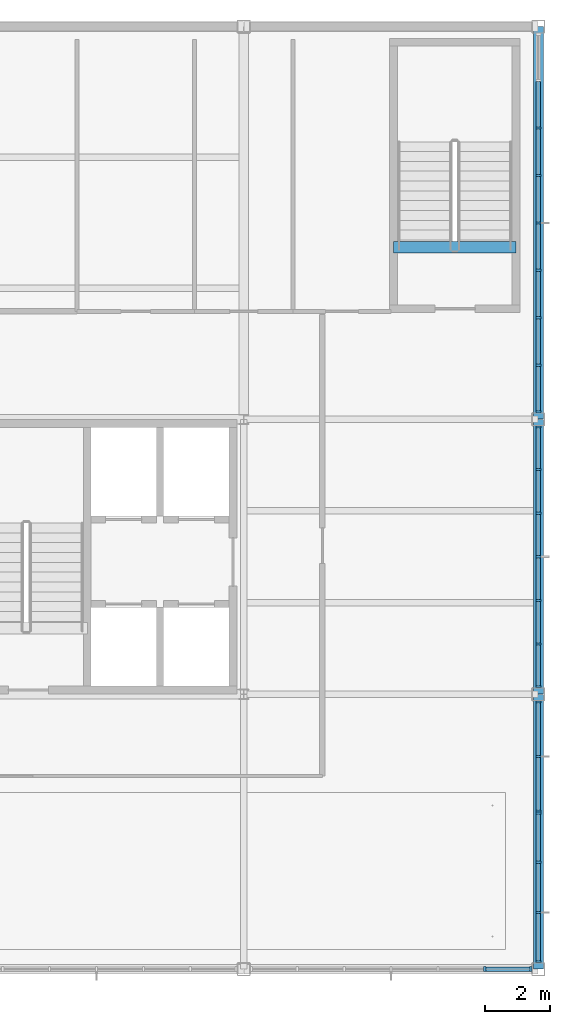
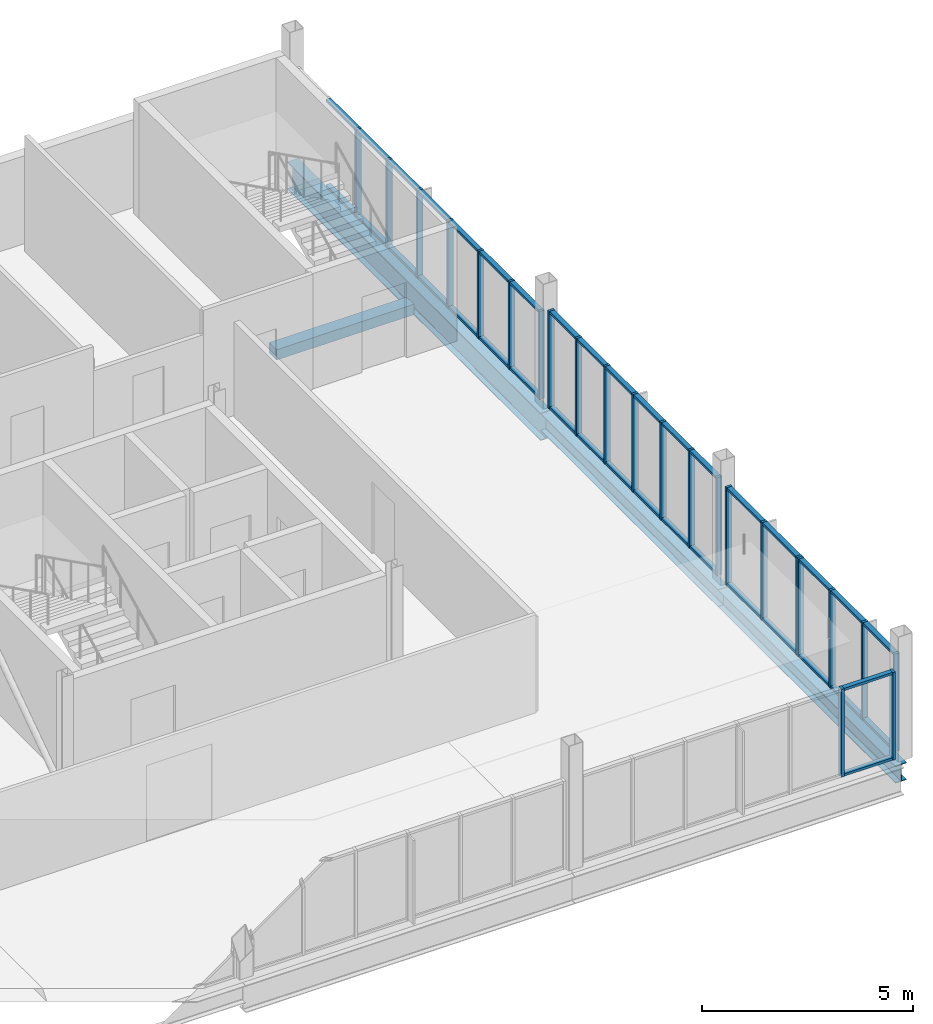
# One storey, part 7 of 17: 61 members, 4 beams, 5 elements without a shape of their own.
"""IFC4 building model written with IfcOpenShell, lengths in metres."""

from ifc_helpers import new_model, si_unit, direction, frame, origin, origin_2d, place, context, subcontext, project, spatial, rectangle, i_section, extrude, material, layer, layer_set, material_profile, profile_set, type_object, element, aggregate, save


model = new_model("IFC4")

# Units and contexts
model_context = context("Model", 3, precision=1e-05, world=origin(), true_north=direction((0.0, 1.0)))
body_context = subcontext(model_context, "Body", "Model", "MODEL_VIEW")
ifc_project = project(units=[si_unit("LENGTHUNIT", "METRE"), si_unit("AREAUNIT", "SQUARE_METRE"), si_unit("VOLUMEUNIT", "CUBIC_METRE"), si_unit("PLANEANGLEUNIT", "RADIAN"), si_unit("MASSUNIT", "GRAM", prefix="KILO")], contexts=[model_context])

# Site, building, storey
site_placement = place(None, origin())
site = spatial("IfcSite", under=ifc_project, at=site_placement, CompositionType="ELEMENT")
building_placement = place(site_placement, origin())
building = spatial("IfcBuilding", under=site, at=building_placement, Name="Yukiwa Park Conservatory and Herbarium", CompositionType="ELEMENT")
storey_placement = place(building_placement, frame((0.0, 0.0, 57.60009765625)))
storey = spatial("IfcBuildingStorey", under=building, at=storey_placement, Name="L15", CompositionType="ELEMENT", Elevation=57.60009765625)

# Beams
ifc_material_1 = material(Name="Steel Q355D", Category="steel")
ifc_material_profile_1 = material_profile(ifc_material_1, i_section(OverallWidth=0.300048828125, OverallDepth=0.5, WebThickness=0.010986328125, FlangeThickness=0.01806640625, FilletRadius=0.02392578125, at=origin_2d()), Name="HM 500x300x11x18")
ifc_profile_set_1 = profile_set([ifc_material_profile_1], Name="Steel Q355D")
beam_type_1 = type_object("IfcBeamType", Name="BM-SPN-HN500", PredefinedType="SPANDREL", material=ifc_profile_set_1)
beam_1_placement = place(storey_placement, frame((168.0, 86.406005859375, -0.506103515625), z_axis=(0.0, 1.0, 0.0), x_axis=(-1.0, 0.0, 0.0)))
element("IfcBeam", 1, at=beam_1_placement, inside=storey, type_object=beam_type_1, Name="L15 spandrel girder Y-27", PredefinedType="SPANDREL", context=body_context, shape_type="SweptSolid", body=[
    extrude(i_section(OverallWidth=0.300048828125, OverallDepth=0.5, WebThickness=0.010986328125, FlangeThickness=0.01806640625, FilletRadius=0.02392578125, at=origin_2d()), origin(), (0.0, 0.0, 1.0), 8.387939453125),
])
beam_2_placement = place(storey_placement, frame((168.0, 94.805908203125, -0.506103515625), z_axis=(0.0, 1.0, 0.0), x_axis=(-1.0, 0.0, 0.0)))
element("IfcBeam", 2, at=beam_2_placement, inside=storey, type_object=beam_type_1, Name="L15 spandrel girder Y-28", PredefinedType="SPANDREL", context=body_context, shape_type="SweptSolid", body=[
    extrude(i_section(OverallWidth=0.300048828125, OverallDepth=0.5, WebThickness=0.010986328125, FlangeThickness=0.01806640625, FilletRadius=0.02392578125, at=origin_2d()), origin(), (0.0, 0.0, 1.0), 8.38818359375),
])
ifc_material_2 = material(Name="Steel Q355D", Category="steel")
ifc_material_profile_2 = material_profile(ifc_material_2, i_section(OverallWidth=0.300048828125, OverallDepth=0.7919921875, WebThickness=0.013916015625, FlangeThickness=0.02197265625, FilletRadius=0.028076171875, at=origin_2d()), Name="HN 792x300x14x22")
ifc_profile_set_2 = profile_set([ifc_material_profile_2], Name="Steel Q355D")
beam_type_2 = type_object("IfcBeamType", Name="BM-SPN-HN600", PredefinedType="SPANDREL", material=ifc_profile_set_2)
beam_3_placement = place(storey_placement, frame((168.0, 103.2060546875, -0.652099609375), z_axis=(0.0, 1.0, 0.0), x_axis=(-1.0, 0.0, 0.0)))
element("IfcBeam", 3, at=beam_3_placement, inside=storey, type_object=beam_type_2, Name="L15 spandrel girder Y-29", PredefinedType="SPANDREL", context=body_context, shape_type="SweptSolid", body=[
    extrude(i_section(OverallWidth=0.300048828125, OverallDepth=0.7919921875, WebThickness=0.013916015625, FlangeThickness=0.02197265625, FilletRadius=0.028076171875, at=origin_2d()), origin(), (0.0, 0.0, 1.0), 11.988037109375),
])
ifc_material_3 = material(Name="Concrete C40", Category="concrete")
ifc_material_profile_3 = material_profile(ifc_material_3, rectangle(XDim=0.35009765625, YDim=0.300048828125, at=origin_2d()), Name="RC 350x300")
ifc_profile_set_3 = profile_set([ifc_material_profile_3], Name="Concrete C40")
beam_type_3 = type_object("IfcBeamType", Name="BM-STAIR-TRIM", PredefinedType="BEAM", material=ifc_profile_set_3)
beam_4_placement = place(storey_placement, frame((163.570068359375, 108.4599609375, -0.150146484375), z_axis=(1.0, 0.0, 0.0), x_axis=(0.0, 1.0, 0.0)))
element("IfcBeam", 4, at=beam_4_placement, inside=storey, type_object=beam_type_3, Name="Stair ST-T3 L15 landing trimmer beam", PredefinedType="BEAM", context=body_context, shape_type="SweptSolid", body=[
    extrude(rectangle(XDim=0.35009765625, YDim=0.300048828125, at=origin_2d()), origin(), (0.0, 0.0, 1.0), 3.75),
])

# Curtain wall, members
ifc_material_4 = material(Name="Triple Low-E Insulated Glass", Category="glass")
ifc_layer = layer(ifc_material_4, 0.2119140625)
ifc_layer_set = layer_set([ifc_layer], Name="Triple Low-E Insulated Glass")
curtain_wall_type = type_object("IfcCurtainWallType", Name="CW-TOWER-SKY-1400", PredefinedType="NOTDEFINED", material=ifc_layer_set)
curtain_wall_1_placement = place(storey_placement, origin())
curtain_wall_1 = element("IfcCurtainWall", 5, at=curtain_wall_1_placement, inside=storey, type_object=curtain_wall_type, Name="L15 unitised curtain wall CW-L15-141", PredefinedType="NOTDEFINED")
ifc_material_5 = material(Name="Anodised Aluminium", Category="aluminium")
member_type_1 = type_object("IfcMemberType", Name="MB-CW-MUL-70X150", PredefinedType="MULLION", material=ifc_material_5)
member_1_placement = place(storey_placement, frame((168.0, 86.635009765625, -0.000244140625), z_axis=(0.0, 0.0, 1.0), x_axis=(0.0, 1.0, 0.0)))
member_1 = element("IfcMember", 6, at=member_1_placement, type_object=member_type_1, Name="CW-L15-141 mullion 1", PredefinedType="MULLION", context=body_context, shape_type="SweptSolid", body=[
    extrude(rectangle(XDim=0.070068359375, YDim=0.14990234375, at=origin_2d()), origin(), (0.0, 0.0, 1.0), 2.830078125),
])
member_2_placement = place(storey_placement, frame((168.0, 88.13330078125, -0.000244140625), z_axis=(0.0, 0.0, 1.0), x_axis=(0.0, 1.0, 0.0)))
member_2 = element("IfcMember", 7, at=member_2_placement, type_object=member_type_1, Name="CW-L15-141 mullion 2", PredefinedType="MULLION", context=body_context, shape_type="SweptSolid", body=[
    extrude(rectangle(XDim=0.070068359375, YDim=0.14990234375, at=origin_2d()), origin(), (0.0, 0.0, 1.0), 2.830078125),
])
member_3_placement = place(storey_placement, frame((168.0, 89.666748046875, -0.000244140625), z_axis=(0.0, 0.0, 1.0), x_axis=(0.0, 1.0, 0.0)))
member_3 = element("IfcMember", 8, at=member_3_placement, type_object=member_type_1, Name="CW-L15-141 mullion 3", PredefinedType="MULLION", context=body_context, shape_type="SweptSolid", body=[
    extrude(rectangle(XDim=0.070068359375, YDim=0.14990234375, at=origin_2d()), origin(), (0.0, 0.0, 1.0), 2.830078125),
])
member_4_placement = place(storey_placement, frame((168.0, 91.1650390625, -0.000244140625), z_axis=(0.0, 0.0, 1.0), x_axis=(0.0, 1.0, 0.0)))
member_4 = element("IfcMember", 9, at=member_4_placement, type_object=member_type_1, Name="CW-L15-141 mullion 4", PredefinedType="MULLION", context=body_context, shape_type="SweptSolid", body=[
    extrude(rectangle(XDim=0.070068359375, YDim=0.14990234375, at=origin_2d()), origin(), (0.0, 0.0, 1.0), 2.830078125),
])

curtain_wall_2_placement = place(storey_placement, origin())
curtain_wall_2 = element("IfcCurtainWall", 10, at=curtain_wall_2_placement, inside=storey, type_object=curtain_wall_type, Name="L15 unitised curtain wall CW-L15-142", PredefinedType="NOTDEFINED")
member_5_placement = place(storey_placement, frame((168.0, 91.235107421875, -0.000244140625), z_axis=(0.0, 0.0, 1.0), x_axis=(0.0, 1.0, 0.0)))
member_5 = element("IfcMember", 11, at=member_5_placement, type_object=member_type_1, Name="CW-L15-142 mullion 1", PredefinedType="MULLION", context=body_context, shape_type="SweptSolid", body=[
    extrude(rectangle(XDim=0.070068359375, YDim=0.14990234375, at=origin_2d()), origin(), (0.0, 0.0, 1.0), 2.830078125),
])
member_6_placement = place(storey_placement, frame((168.0, 92.89990234375, -0.000244140625), z_axis=(0.0, 0.0, 1.0), x_axis=(0.0, 1.0, 0.0)))
member_6 = element("IfcMember", 12, at=member_6_placement, type_object=member_type_1, Name="CW-L15-142 mullion 2", PredefinedType="MULLION", context=body_context, shape_type="SweptSolid", body=[
    extrude(rectangle(XDim=0.070068359375, YDim=0.14990234375, at=origin_2d()), origin(), (0.0, 0.0, 1.0), 2.830078125),
])
member_7_placement = place(storey_placement, frame((168.0, 94.56494140625, -0.000244140625), z_axis=(0.0, 0.0, 1.0), x_axis=(0.0, 1.0, 0.0)))
member_7 = element("IfcMember", 13, at=member_7_placement, type_object=member_type_1, Name="CW-L15-142 mullion 3", PredefinedType="MULLION", context=body_context, shape_type="SweptSolid", body=[
    extrude(rectangle(XDim=0.070068359375, YDim=0.14990234375, at=origin_2d()), origin(), (0.0, 0.0, 1.0), 2.830078125),
])

curtain_wall_3_placement = place(storey_placement, origin())
curtain_wall_3 = element("IfcCurtainWall", 14, at=curtain_wall_3_placement, inside=storey, type_object=curtain_wall_type, Name="L15 unitised curtain wall CW-L15-143", PredefinedType="NOTDEFINED")
member_8_placement = place(storey_placement, frame((168.0, 95.034912109375, -0.000244140625), z_axis=(0.0, 0.0, 1.0), x_axis=(0.0, 1.0, 0.0)))
member_8 = element("IfcMember", 15, at=member_8_placement, type_object=member_type_1, Name="CW-L15-143 mullion 1", PredefinedType="MULLION", context=body_context, shape_type="SweptSolid", body=[
    extrude(rectangle(XDim=0.070068359375, YDim=0.14990234375, at=origin_2d()), origin(), (0.0, 0.0, 1.0), 2.830078125),
])
member_9_placement = place(storey_placement, frame((168.0, 96.333251953125, -0.000244140625), z_axis=(0.0, 0.0, 1.0), x_axis=(0.0, 1.0, 0.0)))
member_9 = element("IfcMember", 16, at=member_9_placement, type_object=member_type_1, Name="CW-L15-143 mullion 2", PredefinedType="MULLION", context=body_context, shape_type="SweptSolid", body=[
    extrude(rectangle(XDim=0.070068359375, YDim=0.14990234375, at=origin_2d()), origin(), (0.0, 0.0, 1.0), 2.830078125),
])
member_10_placement = place(storey_placement, frame((168.0, 97.666748046875, -0.000244140625), z_axis=(0.0, 0.0, 1.0), x_axis=(0.0, 1.0, 0.0)))
member_10 = element("IfcMember", 17, at=member_10_placement, type_object=member_type_1, Name="CW-L15-143 mullion 3", PredefinedType="MULLION", context=body_context, shape_type="SweptSolid", body=[
    extrude(rectangle(XDim=0.070068359375, YDim=0.14990234375, at=origin_2d()), origin(), (0.0, 0.0, 1.0), 2.830078125),
])
member_11_placement = place(storey_placement, frame((168.0, 99.0, -0.000244140625), z_axis=(0.0, 0.0, 1.0), x_axis=(0.0, 1.0, 0.0)))
member_11 = element("IfcMember", 18, at=member_11_placement, type_object=member_type_1, Name="CW-L15-143 mullion 4", PredefinedType="MULLION", context=body_context, shape_type="SweptSolid", body=[
    extrude(rectangle(XDim=0.070068359375, YDim=0.14990234375, at=origin_2d()), origin(), (0.0, 0.0, 1.0), 2.830078125),
])
member_12_placement = place(storey_placement, frame((168.0, 100.333251953125, -0.000244140625), z_axis=(0.0, 0.0, 1.0), x_axis=(0.0, 1.0, 0.0)))
member_12 = element("IfcMember", 19, at=member_12_placement, type_object=member_type_1, Name="CW-L15-143 mullion 5", PredefinedType="MULLION", context=body_context, shape_type="SweptSolid", body=[
    extrude(rectangle(XDim=0.070068359375, YDim=0.14990234375, at=origin_2d()), origin(), (0.0, 0.0, 1.0), 2.830078125),
])
member_13_placement = place(storey_placement, frame((168.0, 101.666748046875, -0.000244140625), z_axis=(0.0, 0.0, 1.0), x_axis=(0.0, 1.0, 0.0)))
member_13 = element("IfcMember", 20, at=member_13_placement, type_object=member_type_1, Name="CW-L15-143 mullion 6", PredefinedType="MULLION", context=body_context, shape_type="SweptSolid", body=[
    extrude(rectangle(XDim=0.070068359375, YDim=0.14990234375, at=origin_2d()), origin(), (0.0, 0.0, 1.0), 2.830078125),
])
member_14_placement = place(storey_placement, frame((168.0, 102.965087890625, -0.000244140625), z_axis=(0.0, 0.0, 1.0), x_axis=(0.0, 1.0, 0.0)))
member_14 = element("IfcMember", 21, at=member_14_placement, type_object=member_type_1, Name="CW-L15-143 mullion 7", PredefinedType="MULLION", context=body_context, shape_type="SweptSolid", body=[
    extrude(rectangle(XDim=0.070068359375, YDim=0.14990234375, at=origin_2d()), origin(), (0.0, 0.0, 1.0), 2.830078125),
])

curtain_wall_4_placement = place(storey_placement, origin())
curtain_wall_4 = element("IfcCurtainWall", 22, at=curtain_wall_4_placement, inside=storey, type_object=curtain_wall_type, Name="L15 unitised curtain wall CW-L15-144", PredefinedType="NOTDEFINED")
member_15_placement = place(storey_placement, frame((168.0, 103.43505859375, -0.000244140625), z_axis=(0.0, 0.0, 1.0), x_axis=(0.0, 1.0, 0.0)))
member_15 = element("IfcMember", 23, at=member_15_placement, type_object=member_type_1, Name="CW-L15-144 mullion 1", PredefinedType="MULLION", context=body_context, shape_type="SweptSolid", body=[
    extrude(rectangle(XDim=0.070068359375, YDim=0.14990234375, at=origin_2d()), origin(), (0.0, 0.0, 1.0), 2.5380859375),
])
member_16_placement = place(storey_placement, frame((168.0, 104.85009765625, -0.000244140625), z_axis=(0.0, 0.0, 1.0), x_axis=(0.0, 1.0, 0.0)))
member_16 = element("IfcMember", 24, at=member_16_placement, type_object=member_type_1, Name="CW-L15-144 mullion 2", PredefinedType="MULLION", context=body_context, shape_type="SweptSolid", body=[
    extrude(rectangle(XDim=0.070068359375, YDim=0.14990234375, at=origin_2d()), origin(), (0.0, 0.0, 1.0), 2.5380859375),
])
member_17_placement = place(storey_placement, frame((168.0, 106.300048828125, -0.000244140625), z_axis=(0.0, 0.0, 1.0), x_axis=(0.0, 1.0, 0.0)))
member_17 = element("IfcMember", 25, at=member_17_placement, type_object=member_type_1, Name="CW-L15-144 mullion 3", PredefinedType="MULLION", context=body_context, shape_type="SweptSolid", body=[
    extrude(rectangle(XDim=0.070068359375, YDim=0.14990234375, at=origin_2d()), origin(), (0.0, 0.0, 1.0), 2.5380859375),
])
member_18_placement = place(storey_placement, frame((168.0, 107.75, -0.000244140625), z_axis=(0.0, 0.0, 1.0), x_axis=(0.0, 1.0, 0.0)))
member_18 = element("IfcMember", 26, at=member_18_placement, type_object=member_type_1, Name="CW-L15-144 mullion 4", PredefinedType="MULLION", context=body_context, shape_type="SweptSolid", body=[
    extrude(rectangle(XDim=0.070068359375, YDim=0.14990234375, at=origin_2d()), origin(), (0.0, 0.0, 1.0), 2.5380859375),
])
member_19_placement = place(storey_placement, frame((168.0, 109.199951171875, -0.000244140625), z_axis=(0.0, 0.0, 1.0), x_axis=(0.0, 1.0, 0.0)))
member_19 = element("IfcMember", 27, at=member_19_placement, type_object=member_type_1, Name="CW-L15-144 mullion 5", PredefinedType="MULLION", context=body_context, shape_type="SweptSolid", body=[
    extrude(rectangle(XDim=0.070068359375, YDim=0.14990234375, at=origin_2d()), origin(), (0.0, 0.0, 1.0), 2.5380859375),
])
member_20_placement = place(storey_placement, frame((168.0, 110.64990234375, -0.000244140625), z_axis=(0.0, 0.0, 1.0), x_axis=(0.0, 1.0, 0.0)))
member_20 = element("IfcMember", 28, at=member_20_placement, type_object=member_type_1, Name="CW-L15-144 mullion 6", PredefinedType="MULLION", context=body_context, shape_type="SweptSolid", body=[
    extrude(rectangle(XDim=0.070068359375, YDim=0.14990234375, at=origin_2d()), origin(), (0.0, 0.0, 1.0), 2.5380859375),
])
member_21_placement = place(storey_placement, frame((168.0, 112.10009765625, -0.000244140625), z_axis=(0.0, 0.0, 1.0), x_axis=(0.0, 1.0, 0.0)))
member_21 = element("IfcMember", 29, at=member_21_placement, type_object=member_type_1, Name="CW-L15-144 mullion 7", PredefinedType="MULLION", context=body_context, shape_type="SweptSolid", body=[
    extrude(rectangle(XDim=0.070068359375, YDim=0.14990234375, at=origin_2d()), origin(), (0.0, 0.0, 1.0), 2.5380859375),
])

curtain_wall_5_placement = place(storey_placement, origin())
curtain_wall_5 = element("IfcCurtainWall", 30, at=curtain_wall_5_placement, inside=storey, type_object=curtain_wall_type, Name="L15 unitised curtain wall CW-L15-147", PredefinedType="NOTDEFINED")
member_22_placement = place(storey_placement, frame((166.36669921875, 86.39990234375, -0.000244140625), z_axis=(0.0, 0.0, 1.0), x_axis=(1.0, 0.0, 0.0)))
member_22 = element("IfcMember", 31, at=member_22_placement, type_object=member_type_1, Name="CW-L15-147 mullion 6", PredefinedType="MULLION", context=body_context, shape_type="SweptSolid", body=[
    extrude(rectangle(XDim=0.070068359375, YDim=0.14990234375, at=origin_2d()), origin(), (0.0, 0.0, 1.0), 2.5380859375),
])
member_23_placement = place(storey_placement, frame((167.764892578125, 86.39990234375, -0.000244140625), z_axis=(0.0, 0.0, 1.0), x_axis=(1.0, 0.0, 0.0)))
member_23 = element("IfcMember", 32, at=member_23_placement, type_object=member_type_1, Name="CW-L15-147 mullion 7", PredefinedType="MULLION", context=body_context, shape_type="SweptSolid", body=[
    extrude(rectangle(XDim=0.070068359375, YDim=0.14990234375, at=origin_2d()), origin(), (0.0, 0.0, 1.0), 2.5380859375),
])

# Member
ifc_material_6 = material(Name="Anodised Aluminium", Category="aluminium")
member_type_2 = type_object("IfcMemberType", Name="MB-CW-TRN-70X130", PredefinedType="USERDEFINED", material=ifc_material_6)
member_24_placement = place(storey_placement, frame((168.0, 87.36669921875, 0.0), z_axis=(0.0, 0.0, 1.0), x_axis=(0.0, 1.0, 0.0)))
member_24 = element("IfcMember", 33, at=member_24_placement, type_object=member_type_2, Name="CW-L15-141 transom 1.1", ObjectType="TRANSOM", PredefinedType="USERDEFINED", context=body_context, shape_type="SweptSolid", body=[
    extrude(rectangle(XDim=1.46337890625, YDim=0.1298828125, at=origin_2d()), origin(), (0.0, 0.0, 1.0), 0.070068359375),
])

member_25_placement = place(storey_placement, frame((168.0, 87.36669921875, 2.759765625), z_axis=(0.0, 0.0, 1.0), x_axis=(0.0, 1.0, 0.0)))
member_25 = element("IfcMember", 34, at=member_25_placement, type_object=member_type_2, Name="CW-L15-141 transom 1.2", ObjectType="TRANSOM", PredefinedType="USERDEFINED", context=body_context, shape_type="SweptSolid", body=[
    extrude(rectangle(XDim=1.46337890625, YDim=0.1298828125, at=origin_2d()), origin(), (0.0, 0.0, 1.0), 0.070068359375),
])

member_26_placement = place(storey_placement, frame((168.0, 88.89990234375, 0.0), z_axis=(0.0, 0.0, 1.0), x_axis=(0.0, 1.0, 0.0)))
member_26 = element("IfcMember", 35, at=member_26_placement, type_object=member_type_2, Name="CW-L15-141 transom 2.1", ObjectType="TRANSOM", PredefinedType="USERDEFINED", context=body_context, shape_type="SweptSolid", body=[
    extrude(rectangle(XDim=1.46337890625, YDim=0.1298828125, at=origin_2d()), origin(), (0.0, 0.0, 1.0), 0.070068359375),
])

member_27_placement = place(storey_placement, frame((168.0, 88.89990234375, 2.759765625), z_axis=(0.0, 0.0, 1.0), x_axis=(0.0, 1.0, 0.0)))
member_27 = element("IfcMember", 36, at=member_27_placement, type_object=member_type_2, Name="CW-L15-141 transom 2.2", ObjectType="TRANSOM", PredefinedType="USERDEFINED", context=body_context, shape_type="SweptSolid", body=[
    extrude(rectangle(XDim=1.46337890625, YDim=0.1298828125, at=origin_2d()), origin(), (0.0, 0.0, 1.0), 0.070068359375),
])

member_28_placement = place(storey_placement, frame((168.0, 90.433349609375, 0.0), z_axis=(0.0, 0.0, 1.0), x_axis=(0.0, 1.0, 0.0)))
member_28 = element("IfcMember", 37, at=member_28_placement, type_object=member_type_2, Name="CW-L15-141 transom 3.1", ObjectType="TRANSOM", PredefinedType="USERDEFINED", context=body_context, shape_type="SweptSolid", body=[
    extrude(rectangle(XDim=1.46337890625, YDim=0.1298828125, at=origin_2d()), origin(), (0.0, 0.0, 1.0), 0.070068359375),
])

member_29_placement = place(storey_placement, frame((168.0, 90.433349609375, 2.759765625), z_axis=(0.0, 0.0, 1.0), x_axis=(0.0, 1.0, 0.0)))
member_29 = element("IfcMember", 38, at=member_29_placement, type_object=member_type_2, Name="CW-L15-141 transom 3.2", ObjectType="TRANSOM", PredefinedType="USERDEFINED", context=body_context, shape_type="SweptSolid", body=[
    extrude(rectangle(XDim=1.46337890625, YDim=0.1298828125, at=origin_2d()), origin(), (0.0, 0.0, 1.0), 0.070068359375),
])

aggregate(curtain_wall_1, [member_1, member_2, member_3, member_4, member_24, member_25, member_26, member_27, member_28, member_29])

member_30_placement = place(storey_placement, frame((168.0, 92.050048828125, 0.0), z_axis=(0.0, 0.0, 1.0), x_axis=(0.0, 1.0, 0.0)))
member_30 = element("IfcMember", 39, at=member_30_placement, type_object=member_type_2, Name="CW-L15-142 transom 1.1", ObjectType="TRANSOM", PredefinedType="USERDEFINED", context=body_context, shape_type="SweptSolid", body=[
    extrude(rectangle(XDim=1.6298828125, YDim=0.1298828125, at=origin_2d()), origin(), (0.0, 0.0, 1.0), 0.070068359375),
])

member_31_placement = place(storey_placement, frame((168.0, 92.050048828125, 2.759765625), z_axis=(0.0, 0.0, 1.0), x_axis=(0.0, 1.0, 0.0)))
member_31 = element("IfcMember", 40, at=member_31_placement, type_object=member_type_2, Name="CW-L15-142 transom 1.2", ObjectType="TRANSOM", PredefinedType="USERDEFINED", context=body_context, shape_type="SweptSolid", body=[
    extrude(rectangle(XDim=1.6298828125, YDim=0.1298828125, at=origin_2d()), origin(), (0.0, 0.0, 1.0), 0.070068359375),
])

member_32_placement = place(storey_placement, frame((168.0, 93.75, 0.0), z_axis=(0.0, 0.0, 1.0), x_axis=(0.0, 1.0, 0.0)))
member_32 = element("IfcMember", 41, at=member_32_placement, type_object=member_type_2, Name="CW-L15-142 transom 2.1", ObjectType="TRANSOM", PredefinedType="USERDEFINED", context=body_context, shape_type="SweptSolid", body=[
    extrude(rectangle(XDim=1.6298828125, YDim=0.1298828125, at=origin_2d()), origin(), (0.0, 0.0, 1.0), 0.070068359375),
])

member_33_placement = place(storey_placement, frame((168.0, 93.75, 2.759765625), z_axis=(0.0, 0.0, 1.0), x_axis=(0.0, 1.0, 0.0)))
member_33 = element("IfcMember", 42, at=member_33_placement, type_object=member_type_2, Name="CW-L15-142 transom 2.2", ObjectType="TRANSOM", PredefinedType="USERDEFINED", context=body_context, shape_type="SweptSolid", body=[
    extrude(rectangle(XDim=1.6298828125, YDim=0.1298828125, at=origin_2d()), origin(), (0.0, 0.0, 1.0), 0.070068359375),
])

aggregate(curtain_wall_2, [member_5, member_6, member_7, member_30, member_31, member_32, member_33])

member_34_placement = place(storey_placement, frame((168.0, 95.666748046875, 0.0), z_axis=(0.0, 0.0, 1.0), x_axis=(0.0, 1.0, 0.0)))
member_34 = element("IfcMember", 43, at=member_34_placement, type_object=member_type_2, Name="CW-L15-143 transom 1.1", ObjectType="TRANSOM", PredefinedType="USERDEFINED", context=body_context, shape_type="SweptSolid", body=[
    extrude(rectangle(XDim=1.26318359375, YDim=0.1298828125, at=origin_2d()), origin(), (0.0, 0.0, 1.0), 0.070068359375),
])

member_35_placement = place(storey_placement, frame((168.0, 95.666748046875, 2.759765625), z_axis=(0.0, 0.0, 1.0), x_axis=(0.0, 1.0, 0.0)))
member_35 = element("IfcMember", 44, at=member_35_placement, type_object=member_type_2, Name="CW-L15-143 transom 1.2", ObjectType="TRANSOM", PredefinedType="USERDEFINED", context=body_context, shape_type="SweptSolid", body=[
    extrude(rectangle(XDim=1.26318359375, YDim=0.1298828125, at=origin_2d()), origin(), (0.0, 0.0, 1.0), 0.070068359375),
])

member_36_placement = place(storey_placement, frame((168.0, 97.0, 0.0), z_axis=(0.0, 0.0, 1.0), x_axis=(0.0, 1.0, 0.0)))
member_36 = element("IfcMember", 45, at=member_36_placement, type_object=member_type_2, Name="CW-L15-143 transom 2.1", ObjectType="TRANSOM", PredefinedType="USERDEFINED", context=body_context, shape_type="SweptSolid", body=[
    extrude(rectangle(XDim=1.26318359375, YDim=0.1298828125, at=origin_2d()), origin(), (0.0, 0.0, 1.0), 0.070068359375),
])

member_37_placement = place(storey_placement, frame((168.0, 97.0, 2.759765625), z_axis=(0.0, 0.0, 1.0), x_axis=(0.0, 1.0, 0.0)))
member_37 = element("IfcMember", 46, at=member_37_placement, type_object=member_type_2, Name="CW-L15-143 transom 2.2", ObjectType="TRANSOM", PredefinedType="USERDEFINED", context=body_context, shape_type="SweptSolid", body=[
    extrude(rectangle(XDim=1.26318359375, YDim=0.1298828125, at=origin_2d()), origin(), (0.0, 0.0, 1.0), 0.070068359375),
])

member_38_placement = place(storey_placement, frame((168.0, 98.333251953125, 0.0), z_axis=(0.0, 0.0, 1.0), x_axis=(0.0, 1.0, 0.0)))
member_38 = element("IfcMember", 47, at=member_38_placement, type_object=member_type_2, Name="CW-L15-143 transom 3.1", ObjectType="TRANSOM", PredefinedType="USERDEFINED", context=body_context, shape_type="SweptSolid", body=[
    extrude(rectangle(XDim=1.26318359375, YDim=0.1298828125, at=origin_2d()), origin(), (0.0, 0.0, 1.0), 0.070068359375),
])

member_39_placement = place(storey_placement, frame((168.0, 98.333251953125, 2.759765625), z_axis=(0.0, 0.0, 1.0), x_axis=(0.0, 1.0, 0.0)))
member_39 = element("IfcMember", 48, at=member_39_placement, type_object=member_type_2, Name="CW-L15-143 transom 3.2", ObjectType="TRANSOM", PredefinedType="USERDEFINED", context=body_context, shape_type="SweptSolid", body=[
    extrude(rectangle(XDim=1.26318359375, YDim=0.1298828125, at=origin_2d()), origin(), (0.0, 0.0, 1.0), 0.070068359375),
])

member_40_placement = place(storey_placement, frame((168.0, 99.666748046875, 0.0), z_axis=(0.0, 0.0, 1.0), x_axis=(0.0, 1.0, 0.0)))
member_40 = element("IfcMember", 49, at=member_40_placement, type_object=member_type_2, Name="CW-L15-143 transom 4.1", ObjectType="TRANSOM", PredefinedType="USERDEFINED", context=body_context, shape_type="SweptSolid", body=[
    extrude(rectangle(XDim=1.26318359375, YDim=0.1298828125, at=origin_2d()), origin(), (0.0, 0.0, 1.0), 0.070068359375),
])

member_41_placement = place(storey_placement, frame((168.0, 99.666748046875, 2.759765625), z_axis=(0.0, 0.0, 1.0), x_axis=(0.0, 1.0, 0.0)))
member_41 = element("IfcMember", 50, at=member_41_placement, type_object=member_type_2, Name="CW-L15-143 transom 4.2", ObjectType="TRANSOM", PredefinedType="USERDEFINED", context=body_context, shape_type="SweptSolid", body=[
    extrude(rectangle(XDim=1.26318359375, YDim=0.1298828125, at=origin_2d()), origin(), (0.0, 0.0, 1.0), 0.070068359375),
])

member_42_placement = place(storey_placement, frame((168.0, 101.0, 0.0), z_axis=(0.0, 0.0, 1.0), x_axis=(0.0, 1.0, 0.0)))
member_42 = element("IfcMember", 51, at=member_42_placement, type_object=member_type_2, Name="CW-L15-143 transom 5.1", ObjectType="TRANSOM", PredefinedType="USERDEFINED", context=body_context, shape_type="SweptSolid", body=[
    extrude(rectangle(XDim=1.26318359375, YDim=0.1298828125, at=origin_2d()), origin(), (0.0, 0.0, 1.0), 0.070068359375),
])

member_43_placement = place(storey_placement, frame((168.0, 101.0, 2.759765625), z_axis=(0.0, 0.0, 1.0), x_axis=(0.0, 1.0, 0.0)))
member_43 = element("IfcMember", 52, at=member_43_placement, type_object=member_type_2, Name="CW-L15-143 transom 5.2", ObjectType="TRANSOM", PredefinedType="USERDEFINED", context=body_context, shape_type="SweptSolid", body=[
    extrude(rectangle(XDim=1.26318359375, YDim=0.1298828125, at=origin_2d()), origin(), (0.0, 0.0, 1.0), 0.070068359375),
])

member_44_placement = place(storey_placement, frame((168.0, 102.333251953125, 0.0), z_axis=(0.0, 0.0, 1.0), x_axis=(0.0, 1.0, 0.0)))
member_44 = element("IfcMember", 53, at=member_44_placement, type_object=member_type_2, Name="CW-L15-143 transom 6.1", ObjectType="TRANSOM", PredefinedType="USERDEFINED", context=body_context, shape_type="SweptSolid", body=[
    extrude(rectangle(XDim=1.26318359375, YDim=0.1298828125, at=origin_2d()), origin(), (0.0, 0.0, 1.0), 0.070068359375),
])

member_45_placement = place(storey_placement, frame((168.0, 102.333251953125, 2.759765625), z_axis=(0.0, 0.0, 1.0), x_axis=(0.0, 1.0, 0.0)))
member_45 = element("IfcMember", 54, at=member_45_placement, type_object=member_type_2, Name="CW-L15-143 transom 6.2", ObjectType="TRANSOM", PredefinedType="USERDEFINED", context=body_context, shape_type="SweptSolid", body=[
    extrude(rectangle(XDim=1.26318359375, YDim=0.1298828125, at=origin_2d()), origin(), (0.0, 0.0, 1.0), 0.070068359375),
])

aggregate(curtain_wall_3, [member_8, member_9, member_10, member_11, member_12, member_13, member_14, member_34, member_35, member_36, member_37, member_38, member_39, member_40, member_41, member_42, member_43, member_44, member_45])

member_46_placement = place(storey_placement, frame((168.0, 104.125, 0.0), z_axis=(0.0, 0.0, 1.0), x_axis=(0.0, 1.0, 0.0)))
member_46 = element("IfcMember", 55, at=member_46_placement, type_object=member_type_2, Name="CW-L15-144 transom 1.1", ObjectType="TRANSOM", PredefinedType="USERDEFINED", context=body_context, shape_type="SweptSolid", body=[
    extrude(rectangle(XDim=1.3798828125, YDim=0.1298828125, at=origin_2d()), origin(), (0.0, 0.0, 1.0), 0.070068359375),
])

member_47_placement = place(storey_placement, frame((168.0, 104.125, 2.4677734375), z_axis=(0.0, 0.0, 1.0), x_axis=(0.0, 1.0, 0.0)))
member_47 = element("IfcMember", 56, at=member_47_placement, type_object=member_type_2, Name="CW-L15-144 transom 1.2", ObjectType="TRANSOM", PredefinedType="USERDEFINED", context=body_context, shape_type="SweptSolid", body=[
    extrude(rectangle(XDim=1.3798828125, YDim=0.1298828125, at=origin_2d()), origin(), (0.0, 0.0, 1.0), 0.070068359375),
])

member_48_placement = place(storey_placement, frame((168.0, 105.574951171875, 0.0), z_axis=(0.0, 0.0, 1.0), x_axis=(0.0, 1.0, 0.0)))
member_48 = element("IfcMember", 57, at=member_48_placement, type_object=member_type_2, Name="CW-L15-144 transom 2.1", ObjectType="TRANSOM", PredefinedType="USERDEFINED", context=body_context, shape_type="SweptSolid", body=[
    extrude(rectangle(XDim=1.3798828125, YDim=0.1298828125, at=origin_2d()), origin(), (0.0, 0.0, 1.0), 0.070068359375),
])

member_49_placement = place(storey_placement, frame((168.0, 105.574951171875, 2.4677734375), z_axis=(0.0, 0.0, 1.0), x_axis=(0.0, 1.0, 0.0)))
member_49 = element("IfcMember", 58, at=member_49_placement, type_object=member_type_2, Name="CW-L15-144 transom 2.2", ObjectType="TRANSOM", PredefinedType="USERDEFINED", context=body_context, shape_type="SweptSolid", body=[
    extrude(rectangle(XDim=1.3798828125, YDim=0.1298828125, at=origin_2d()), origin(), (0.0, 0.0, 1.0), 0.070068359375),
])

member_50_placement = place(storey_placement, frame((168.0, 107.02490234375, 0.0), z_axis=(0.0, 0.0, 1.0), x_axis=(0.0, 1.0, 0.0)))
member_50 = element("IfcMember", 59, at=member_50_placement, type_object=member_type_2, Name="CW-L15-144 transom 3.1", ObjectType="TRANSOM", PredefinedType="USERDEFINED", context=body_context, shape_type="SweptSolid", body=[
    extrude(rectangle(XDim=1.3798828125, YDim=0.1298828125, at=origin_2d()), origin(), (0.0, 0.0, 1.0), 0.070068359375),
])

member_51_placement = place(storey_placement, frame((168.0, 107.02490234375, 2.4677734375), z_axis=(0.0, 0.0, 1.0), x_axis=(0.0, 1.0, 0.0)))
member_51 = element("IfcMember", 60, at=member_51_placement, type_object=member_type_2, Name="CW-L15-144 transom 3.2", ObjectType="TRANSOM", PredefinedType="USERDEFINED", context=body_context, shape_type="SweptSolid", body=[
    extrude(rectangle(XDim=1.3798828125, YDim=0.1298828125, at=origin_2d()), origin(), (0.0, 0.0, 1.0), 0.070068359375),
])

member_52_placement = place(storey_placement, frame((168.0, 108.47509765625, 0.0), z_axis=(0.0, 0.0, 1.0), x_axis=(0.0, 1.0, 0.0)))
member_52 = element("IfcMember", 61, at=member_52_placement, type_object=member_type_2, Name="CW-L15-144 transom 4.1", ObjectType="TRANSOM", PredefinedType="USERDEFINED", context=body_context, shape_type="SweptSolid", body=[
    extrude(rectangle(XDim=1.3798828125, YDim=0.1298828125, at=origin_2d()), origin(), (0.0, 0.0, 1.0), 0.070068359375),
])

member_53_placement = place(storey_placement, frame((168.0, 108.47509765625, 2.4677734375), z_axis=(0.0, 0.0, 1.0), x_axis=(0.0, 1.0, 0.0)))
member_53 = element("IfcMember", 62, at=member_53_placement, type_object=member_type_2, Name="CW-L15-144 transom 4.2", ObjectType="TRANSOM", PredefinedType="USERDEFINED", context=body_context, shape_type="SweptSolid", body=[
    extrude(rectangle(XDim=1.3798828125, YDim=0.1298828125, at=origin_2d()), origin(), (0.0, 0.0, 1.0), 0.070068359375),
])

member_54_placement = place(storey_placement, frame((168.0, 109.925048828125, 0.0), z_axis=(0.0, 0.0, 1.0), x_axis=(0.0, 1.0, 0.0)))
member_54 = element("IfcMember", 63, at=member_54_placement, type_object=member_type_2, Name="CW-L15-144 transom 5.1", ObjectType="TRANSOM", PredefinedType="USERDEFINED", context=body_context, shape_type="SweptSolid", body=[
    extrude(rectangle(XDim=1.3798828125, YDim=0.1298828125, at=origin_2d()), origin(), (0.0, 0.0, 1.0), 0.070068359375),
])

member_55_placement = place(storey_placement, frame((168.0, 109.925048828125, 2.4677734375), z_axis=(0.0, 0.0, 1.0), x_axis=(0.0, 1.0, 0.0)))
member_55 = element("IfcMember", 64, at=member_55_placement, type_object=member_type_2, Name="CW-L15-144 transom 5.2", ObjectType="TRANSOM", PredefinedType="USERDEFINED", context=body_context, shape_type="SweptSolid", body=[
    extrude(rectangle(XDim=1.3798828125, YDim=0.1298828125, at=origin_2d()), origin(), (0.0, 0.0, 1.0), 0.070068359375),
])

member_56_placement = place(storey_placement, frame((168.0, 111.375, 0.0), z_axis=(0.0, 0.0, 1.0), x_axis=(0.0, 1.0, 0.0)))
member_56 = element("IfcMember", 65, at=member_56_placement, type_object=member_type_2, Name="CW-L15-144 transom 6.1", ObjectType="TRANSOM", PredefinedType="USERDEFINED", context=body_context, shape_type="SweptSolid", body=[
    extrude(rectangle(XDim=1.3798828125, YDim=0.1298828125, at=origin_2d()), origin(), (0.0, 0.0, 1.0), 0.070068359375),
])

member_57_placement = place(storey_placement, frame((168.0, 111.375, 2.4677734375), z_axis=(0.0, 0.0, 1.0), x_axis=(0.0, 1.0, 0.0)))
member_57 = element("IfcMember", 66, at=member_57_placement, type_object=member_type_2, Name="CW-L15-144 transom 6.2", ObjectType="TRANSOM", PredefinedType="USERDEFINED", context=body_context, shape_type="SweptSolid", body=[
    extrude(rectangle(XDim=1.3798828125, YDim=0.1298828125, at=origin_2d()), origin(), (0.0, 0.0, 1.0), 0.070068359375),
])

member_58_placement = place(storey_placement, frame((168.0, 112.824951171875, 0.0), z_axis=(0.0, 0.0, 1.0), x_axis=(0.0, 1.0, 0.0)))
member_58 = element("IfcMember", 67, at=member_58_placement, type_object=member_type_2, Name="CW-L15-144 transom 7.1", ObjectType="TRANSOM", PredefinedType="USERDEFINED", context=body_context, shape_type="SweptSolid", body=[
    extrude(rectangle(XDim=1.3798828125, YDim=0.1298828125, at=origin_2d()), origin(), (0.0, 0.0, 1.0), 0.070068359375),
])

member_59_placement = place(storey_placement, frame((168.0, 112.824951171875, 2.4677734375), z_axis=(0.0, 0.0, 1.0), x_axis=(0.0, 1.0, 0.0)))
member_59 = element("IfcMember", 68, at=member_59_placement, type_object=member_type_2, Name="CW-L15-144 transom 7.2", ObjectType="TRANSOM", PredefinedType="USERDEFINED", context=body_context, shape_type="SweptSolid", body=[
    extrude(rectangle(XDim=1.3798828125, YDim=0.1298828125, at=origin_2d()), origin(), (0.0, 0.0, 1.0), 0.070068359375),
])

aggregate(curtain_wall_4, [member_15, member_16, member_17, member_18, member_19, member_20, member_21, member_46, member_47, member_48, member_49, member_50, member_51, member_52, member_53, member_54, member_55, member_56, member_57, member_58, member_59])

member_60_placement = place(storey_placement, frame((167.083251953125, 86.39990234375, 0.0), z_axis=(0.0, 0.0, 1.0), x_axis=(1.0, 0.0, 0.0)))
member_60 = element("IfcMember", 69, at=member_60_placement, type_object=member_type_2, Name="CW-L15-147 transom 6.1", ObjectType="TRANSOM", PredefinedType="USERDEFINED", context=body_context, shape_type="SweptSolid", body=[
    extrude(rectangle(XDim=1.36328125, YDim=0.1298828125, at=origin_2d()), origin(), (0.0, 0.0, 1.0), 0.070068359375),
])

member_61_placement = place(storey_placement, frame((167.083251953125, 86.39990234375, 2.4677734375), z_axis=(0.0, 0.0, 1.0), x_axis=(1.0, 0.0, 0.0)))
member_61 = element("IfcMember", 70, at=member_61_placement, type_object=member_type_2, Name="CW-L15-147 transom 6.2", ObjectType="TRANSOM", PredefinedType="USERDEFINED", context=body_context, shape_type="SweptSolid", body=[
    extrude(rectangle(XDim=1.36328125, YDim=0.1298828125, at=origin_2d()), origin(), (0.0, 0.0, 1.0), 0.070068359375),
])

aggregate(curtain_wall_5, [member_22, member_23, member_60, member_61])

save(model, "model.ifc")
